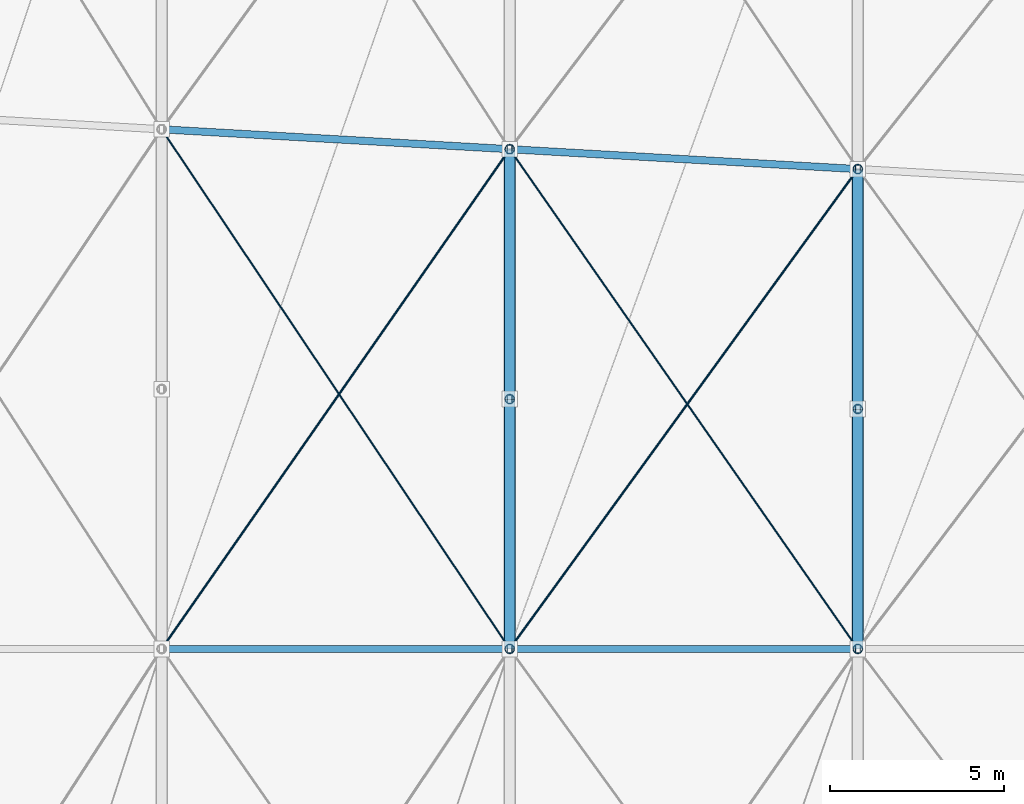
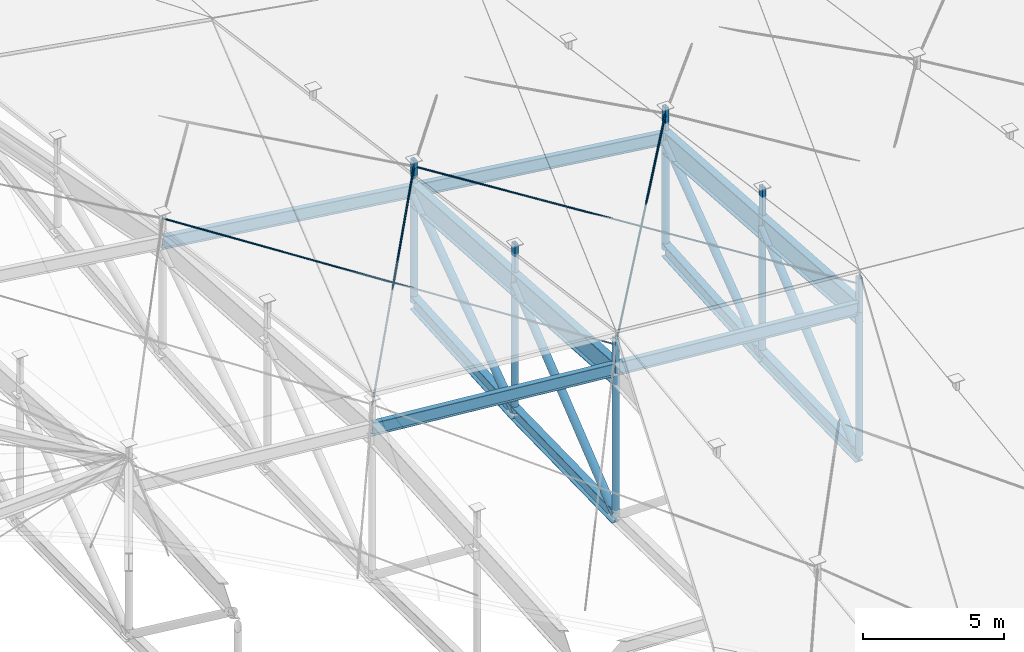
# One storey, part 26 of 68: 20 members, 12 beams.
"""IFC4 building model written with IfcOpenShell, lengths in metres."""

from ifc_helpers import new_model, si_unit, direction, frame, origin, origin_2d, place, context, subcontext, project, spatial, hollow_rectangle, circle, hollow_circle, i_section, extrude, material, material_profile, profile_set, type_object, element, save


model = new_model("IFC4")

# Units and contexts
model_context = context("Model", 3, precision=1e-05, world=origin(), true_north=direction((0.0, 1.0)))
body_context = subcontext(model_context, "Body", "Model", "MODEL_VIEW")
ifc_project = project(units=[si_unit("LENGTHUNIT", "METRE"), si_unit("AREAUNIT", "SQUARE_METRE"), si_unit("VOLUMEUNIT", "CUBIC_METRE"), si_unit("PLANEANGLEUNIT", "RADIAN"), si_unit("MASSUNIT", "GRAM", prefix="KILO")], contexts=[model_context])

# Site, building, storey
site_placement = place(None, origin())
site = spatial("IfcSite", under=ifc_project, at=site_placement, CompositionType="ELEMENT")
building_placement = place(site_placement, origin())
building = spatial("IfcBuilding", under=site, at=building_placement, Name="Sohan Crest Arena", CompositionType="ELEMENT")
storey_placement = place(building_placement, frame((0.0, 0.0, 27.0)))
storey = spatial("IfcBuildingStorey", under=building, at=storey_placement, Name="RF", CompositionType="ELEMENT", Elevation=27.0)

# Beams
ifc_material_1 = material(Name="Steel S355", Category="steel")
ifc_material_profile_1 = material_profile(ifc_material_1, i_section(OverallWidth=0.2099609375, OverallDepth=0.550048828125, WebThickness=0.010986328125, FlangeThickness=0.01708984375, at=origin_2d()), Name="IPE 550")
ifc_profile_set_1 = profile_set([ifc_material_profile_1], Name="Steel S355")
beam_type_1 = type_object("IfcBeamType", Name="STR-BM-B06", PredefinedType="BEAM", material=ifc_profile_set_1)
beam_1_placement = place(storey_placement, frame((108.0, 78.0, 4.54296875), z_axis=(0.996009963272, 0.0, -0.089242103643), x_axis=(0.0, 1.0, 0.0)))
element("IfcBeam", 1, at=beam_1_placement, inside=storey, type_object=beam_type_1, Name="Structural beam RP-RF-3148", PredefinedType="BEAM", context=body_context, shape_type="SweptSolid", body=[
    extrude(i_section(OverallWidth=0.2099609375, OverallDepth=0.550048828125, WebThickness=0.010986328125, FlangeThickness=0.01708984375, at=origin_2d()), origin(), (0.0, 0.0, 1.0), 10.0400390625),
])
beam_2_placement = place(storey_placement, frame((108.0, 92.927978515625, 3.5810546875), z_axis=(0.994394230537, -0.056784377569, -0.089194443432), x_axis=(0.057011612604, 0.998373515288, 0.0)))
element("IfcBeam", 2, at=beam_2_placement, inside=storey, type_object=beam_type_1, Name="Structural beam RP-RF-3149", PredefinedType="BEAM", context=body_context, shape_type="SweptSolid", body=[
    extrude(i_section(OverallWidth=0.2099609375, OverallDepth=0.550048828125, WebThickness=0.010986328125, FlangeThickness=0.01708984375, at=origin_2d()), origin(), (0.0, 0.0, 1.0), 10.056396484375),
])
beam_3_placement = place(storey_placement, frame((118.0, 78.0, 3.64697265625), z_axis=(0.996323549958, 0.0, -0.085670203685), x_axis=(0.0, 1.0, 0.0)))
element("IfcBeam", 3, at=beam_3_placement, inside=storey, type_object=beam_type_1, Name="Structural beam RP-RF-3151", PredefinedType="BEAM", context=body_context, shape_type="SweptSolid", body=[
    extrude(i_section(OverallWidth=0.2099609375, OverallDepth=0.550048828125, WebThickness=0.010986328125, FlangeThickness=0.01708984375, at=origin_2d()), origin(), (0.0, 0.0, 1.0), 10.036865234375),
])
beam_4_placement = place(storey_placement, frame((118.0, 92.35693359375, 2.68408203125), z_axis=(0.994715612164, -0.0568998701, -0.085459087871), x_axis=(0.057108792309, 0.998367961145, 0.0)))
element("IfcBeam", 4, at=beam_4_placement, inside=storey, type_object=beam_type_1, Name="Structural beam RP-RF-3152", PredefinedType="BEAM", context=body_context, shape_type="SweptSolid", body=[
    extrude(i_section(OverallWidth=0.2099609375, OverallDepth=0.550048828125, WebThickness=0.010986328125, FlangeThickness=0.01708984375, at=origin_2d()), origin(), (0.0, 0.0, 1.0), 10.05322265625),
])
ifc_material_profile_2 = material_profile(ifc_material_1, i_section(OverallWidth=0.300048828125, OverallDepth=0.60009765625, WebThickness=0.015380859375, FlangeThickness=0.030029296875, at=origin_2d()), Name="HEB 600")
ifc_profile_set_2 = profile_set([ifc_material_profile_2], Name="Steel S355")
beam_type_2 = type_object("IfcBeamType", Name="STR-BM-B15", PredefinedType="BEAM", material=ifc_profile_set_2)
beam_5_placement = place(storey_placement, frame((118.0, 78.0, -2.762939453125), z_axis=(0.0, 0.99978200802, 0.020879090947), x_axis=(-1.0, 0.0, 0.0)))
element("IfcBeam", 5, at=beam_5_placement, inside=storey, type_object=beam_type_2, Name="Structural beam RAB-RF-3057", PredefinedType="BEAM", context=body_context, shape_type="SweptSolid", body=[
    extrude(i_section(OverallWidth=0.300048828125, OverallDepth=0.60009765625, WebThickness=0.015380859375, FlangeThickness=0.030029296875, at=origin_2d()), origin(), (0.0, 0.0, 1.0), 7.179443359375),
])
beam_6_placement = place(storey_placement, frame((118.0, 85.177978515625, -2.613037109375), z_axis=(0.0, 0.998041601511, 0.062553670178), x_axis=(-1.0, 0.0, 0.0)))
element("IfcBeam", 6, at=beam_6_placement, inside=storey, type_object=beam_type_2, Name="Structural beam RAB-RF-3059", PredefinedType="BEAM", context=body_context, shape_type="SweptSolid", body=[
    extrude(i_section(OverallWidth=0.300048828125, OverallDepth=0.60009765625, WebThickness=0.015380859375, FlangeThickness=0.030029296875, at=origin_2d()), origin(), (0.0, 0.0, 1.0), 7.193115234375),
])
beam_7_placement = place(storey_placement, frame((128.0, 78.0, -3.623046875), z_axis=(0.0, 0.999762851214, 0.021777082719), x_axis=(-1.0, 0.0, 0.0)))
element("IfcBeam", 7, at=beam_7_placement, inside=storey, type_object=beam_type_2, Name="Structural beam RAB-RF-3073", PredefinedType="BEAM", context=body_context, shape_type="SweptSolid", body=[
    extrude(i_section(OverallWidth=0.300048828125, OverallDepth=0.60009765625, WebThickness=0.015380859375, FlangeThickness=0.030029296875, at=origin_2d()), origin(), (0.0, 0.0, 1.0), 6.894775390625),
])
beam_8_placement = place(storey_placement, frame((128.0, 84.89306640625, -3.472900390625), z_axis=(0.0, 0.99787556219, 0.065148771161), x_axis=(-1.0, 0.0, 0.0)))
element("IfcBeam", 8, at=beam_8_placement, inside=storey, type_object=beam_type_2, Name="Structural beam RAB-RF-3075", PredefinedType="BEAM", context=body_context, shape_type="SweptSolid", body=[
    extrude(i_section(OverallWidth=0.300048828125, OverallDepth=0.60009765625, WebThickness=0.015380859375, FlangeThickness=0.030029296875, at=origin_2d()), origin(), (0.0, 0.0, 1.0), 6.906494140625),
])
ifc_material_profile_3 = material_profile(ifc_material_1, i_section(OverallWidth=0.300048828125, OverallDepth=1.0, WebThickness=0.01904296875, FlangeThickness=0.035888671875, at=origin_2d()), Name="HEB 1000")
ifc_profile_set_3 = profile_set([ifc_material_profile_3], Name="Steel S355")
beam_type_3 = type_object("IfcBeamType", Name="STR-BM-B19", PredefinedType="BEAM", material=ifc_profile_set_3)
beam_9_placement = place(storey_placement, frame((118.0, 78.0, 3.487060546875), z_axis=(0.0, 0.997762727447, -0.066854616274), x_axis=(-1.0, 0.0, 0.0)))
element("IfcBeam", 9, at=beam_9_placement, inside=storey, type_object=beam_type_3, Name="Structural beam RA-RF-3056", PredefinedType="BEAM", context=body_context, shape_type="SweptSolid", body=[
    extrude(i_section(OverallWidth=0.300048828125, OverallDepth=1.0, WebThickness=0.01904296875, FlangeThickness=0.035888671875, at=origin_2d()), origin(), (0.0, 0.0, 1.0), 7.194091796875),
])
beam_10_placement = place(storey_placement, frame((118.0, 85.177978515625, 3.006103515625), z_axis=(0.0, 0.997752004305, -0.067014460415), x_axis=(-1.0, 0.0, 0.0)))
element("IfcBeam", 10, at=beam_10_placement, inside=storey, type_object=beam_type_3, Name="Structural beam RA-RF-3058", PredefinedType="BEAM", context=body_context, shape_type="SweptSolid", body=[
    extrude(i_section(OverallWidth=0.300048828125, OverallDepth=1.0, WebThickness=0.01904296875, FlangeThickness=0.035888671875, at=origin_2d()), origin(), (0.0, 0.0, 1.0), 7.195068359375),
])
beam_11_placement = place(storey_placement, frame((128.0, 78.0, 2.626953125), z_axis=(0.0, 0.99757395956, -0.069614619211), x_axis=(-1.0, 0.0, 0.0)))
element("IfcBeam", 11, at=beam_11_placement, inside=storey, type_object=beam_type_3, Name="Structural beam RA-RF-3072", PredefinedType="BEAM", context=body_context, shape_type="SweptSolid", body=[
    extrude(i_section(OverallWidth=0.300048828125, OverallDepth=1.0, WebThickness=0.01904296875, FlangeThickness=0.035888671875, at=origin_2d()), origin(), (0.0, 0.0, 1.0), 6.908935546875),
])
beam_12_placement = place(storey_placement, frame((128.0, 84.89208984375, 2.14599609375), z_axis=(0.0, 0.997574473234, -0.069607257899), x_axis=(-1.0, 0.0, 0.0)))
element("IfcBeam", 12, at=beam_12_placement, inside=storey, type_object=beam_type_3, Name="Structural beam RA-RF-3074", PredefinedType="BEAM", context=body_context, shape_type="SweptSolid", body=[
    extrude(i_section(OverallWidth=0.300048828125, OverallDepth=1.0, WebThickness=0.01904296875, FlangeThickness=0.035888671875, at=origin_2d()), origin(), (0.0, 0.0, 1.0), 6.90966796875),
])

# Members
ifc_material_profile_4 = material_profile(ifc_material_1, hollow_circle(Radius=0.136474609375, WallThickness=0.012451171875, at=origin_2d()), Name="CHS 273x12.5")
ifc_profile_set_4 = profile_set([ifc_material_profile_4], Name="Steel S355")
member_type_1 = type_object("IfcMemberType", Name="STR-MEM-BR02", PredefinedType="BRACE", material=ifc_profile_set_4)
member_1_placement = place(storey_placement, frame((118.0, 78.0, -2.762939453125), z_axis=(0.0, 0.0, 1.0), x_axis=(1.0, 0.0, 0.0)))
element("IfcMember", 13, at=member_1_placement, inside=storey, type_object=member_type_1, Name="Lenticular roof truss web strut TW-125", PredefinedType="BRACE", context=body_context, shape_type="SweptSolid", body=[
    extrude(hollow_circle(Radius=0.136474609375, WallThickness=0.012451171875, at=origin_2d()), origin(), (0.0, 0.0, 1.0), 6.25),
])
member_2_placement = place(storey_placement, frame((118.0, 85.177978515625, -2.613037109375), z_axis=(0.0, 0.0, 1.0), x_axis=(1.0, 0.0, 0.0)))
element("IfcMember", 14, at=member_2_placement, inside=storey, type_object=member_type_1, Name="Lenticular roof truss web strut TW-127", PredefinedType="BRACE", context=body_context, shape_type="SweptSolid", body=[
    extrude(hollow_circle(Radius=0.136474609375, WallThickness=0.012451171875, at=origin_2d()), origin(), (0.0, 0.0, 1.0), 5.619140625),
])
member_3_placement = place(storey_placement, frame((118.0, 92.35693359375, -2.1630859375), z_axis=(0.0, 0.0, 1.0), x_axis=(1.0, 0.0, 0.0)))
element("IfcMember", 15, at=member_3_placement, inside=storey, type_object=member_type_1, Name="Lenticular roof truss web strut TW-129", PredefinedType="BRACE", context=body_context, shape_type="SweptSolid", body=[
    extrude(hollow_circle(Radius=0.136474609375, WallThickness=0.012451171875, at=origin_2d()), origin(), (0.0, 0.0, 1.0), 4.68701171875),
])
member_4_placement = place(storey_placement, frame((128.0, 78.0, -3.623046875), z_axis=(0.0, 0.0, 1.0), x_axis=(1.0, 0.0, 0.0)))
element("IfcMember", 16, at=member_4_placement, inside=storey, type_object=member_type_1, Name="Lenticular roof truss web strut TW-149", PredefinedType="BRACE", context=body_context, shape_type="SweptSolid", body=[
    extrude(hollow_circle(Radius=0.136474609375, WallThickness=0.012451171875, at=origin_2d()), origin(), (0.0, 0.0, 1.0), 6.25),
])
member_5_placement = place(storey_placement, frame((128.0, 84.89306640625, -3.472900390625), z_axis=(0.0, -0.000173799693, 0.999999984897), x_axis=(1.0, 0.0, 0.0)))
element("IfcMember", 17, at=member_5_placement, inside=storey, type_object=member_type_1, Name="Lenticular roof truss web strut TW-151", PredefinedType="BRACE", context=body_context, shape_type="SweptSolid", body=[
    extrude(hollow_circle(Radius=0.136474609375, WallThickness=0.012451171875, at=origin_2d()), origin(), (0.0, 0.0, 1.0), 5.618896484375),
])
member_6_placement = place(storey_placement, frame((128.0, 91.784912109375, -3.02294921875), z_axis=(0.0, 0.0, 1.0), x_axis=(1.0, 0.0, 0.0)))
element("IfcMember", 18, at=member_6_placement, inside=storey, type_object=member_type_1, Name="Lenticular roof truss web strut TW-153", PredefinedType="BRACE", context=body_context, shape_type="SweptSolid", body=[
    extrude(hollow_circle(Radius=0.136474609375, WallThickness=0.012451171875, at=origin_2d()), origin(), (0.0, 0.0, 1.0), 4.68798828125),
])
ifc_material_profile_5 = material_profile(ifc_material_1, hollow_circle(Radius=0.161865234375, WallThickness=0.012451171875, at=origin_2d()), Name="CHS 323.9x12.5")
ifc_profile_set_5 = profile_set([ifc_material_profile_5], Name="Steel S355")
member_type_2 = type_object("IfcMemberType", Name="STR-MEM-BR03", PredefinedType="BRACE", material=ifc_profile_set_5)
member_7_placement = place(storey_placement, frame((118.0, 78.0, -2.762939453125), z_axis=(0.0, 0.779454609925, 0.626458706593), x_axis=(-1.0, 0.0, 0.0)))
element("IfcMember", 19, at=member_7_placement, inside=storey, type_object=member_type_2, Name="Lenticular roof truss web diagonal TD-126", PredefinedType="BRACE", context=body_context, shape_type="SweptSolid", body=[
    extrude(hollow_circle(Radius=0.161865234375, WallThickness=0.012451171875, at=origin_2d()), origin(), (0.0, 0.0, 1.0), 9.208984375),
])
member_8_placement = place(storey_placement, frame((118.0, 85.177978515625, -2.613037109375), z_axis=(0.0, 0.813243585196, 0.581923423775), x_axis=(-1.0, 0.0, 0.0)))
element("IfcMember", 20, at=member_8_placement, inside=storey, type_object=member_type_2, Name="Lenticular roof truss web diagonal TD-128", PredefinedType="BRACE", context=body_context, shape_type="SweptSolid", body=[
    extrude(hollow_circle(Radius=0.161865234375, WallThickness=0.012451171875, at=origin_2d()), origin(), (0.0, 0.0, 1.0), 8.82763671875),
])
member_9_placement = place(storey_placement, frame((128.0, 78.0, -3.623046875), z_axis=(0.0, 0.766816746437, 0.641866089915), x_axis=(-1.0, 0.0, 0.0)))
element("IfcMember", 21, at=member_9_placement, inside=storey, type_object=member_type_2, Name="Lenticular roof truss web diagonal TD-150", PredefinedType="BRACE", context=body_context, shape_type="SweptSolid", body=[
    extrude(hollow_circle(Radius=0.161865234375, WallThickness=0.012451171875, at=origin_2d()), origin(), (0.0, 0.0, 1.0), 8.988037109375),
])
member_10_placement = place(storey_placement, frame((128.0, 84.89306640625, -3.472900390625), z_axis=(0.0, 0.801724583837, 0.597693643659), x_axis=(-1.0, 0.0, 0.0)))
element("IfcMember", 22, at=member_10_placement, inside=storey, type_object=member_type_2, Name="Lenticular roof truss web diagonal TD-152", PredefinedType="BRACE", context=body_context, shape_type="SweptSolid", body=[
    extrude(hollow_circle(Radius=0.161865234375, WallThickness=0.012451171875, at=origin_2d()), origin(), (0.0, 0.0, 1.0), 8.59619140625),
])
ifc_material_2 = material(Name="Steel S460", Category="steel")
ifc_material_profile_6 = material_profile(ifc_material_2, circle(Radius=0.031982421875, at=origin_2d()), Name="FLC D64")
ifc_profile_set_6 = profile_set([ifc_material_profile_6], Name="Steel S460")
member_type_3 = type_object("IfcMemberType", Name="STR-MEM-CB01", PredefinedType="USERDEFINED", material=ifc_profile_set_6)
member_11_placement = place(storey_placement, frame((108.0, 78.0, 5.56298828125), z_axis=(0.568349725919, 0.815975927304, -0.105649775712), x_axis=(-0.820568318735, 0.571548453141, 0.0)))
element("IfcMember", 23, at=member_11_placement, inside=storey, type_object=member_type_3, Name="Full-locked-coil roof cable CB-013", ObjectType="CABLE", PredefinedType="USERDEFINED", context=body_context, shape_type="SweptSolid", body=[
    extrude(circle(Radius=0.031982421875, at=origin_2d()), origin(), (0.0, 0.0, 1.0), 17.5947265625),
])
member_12_placement = place(storey_placement, frame((118.0, 78.0, 4.6669921875), z_axis=(0.583864026265, 0.80485142859, -0.106381279981), x_axis=(-0.809444694423, 0.587196122834, 0.0)))
element("IfcMember", 24, at=member_12_placement, inside=storey, type_object=member_type_3, Name="Full-locked-coil roof cable CB-021", ObjectType="CABLE", PredefinedType="USERDEFINED", context=body_context, shape_type="SweptSolid", body=[
    extrude(circle(Radius=0.031982421875, at=origin_2d()), origin(), (0.0, 0.0, 1.0), 17.127197265625),
])
ifc_material_profile_7 = material_profile(ifc_material_2, circle(Radius=0.02587890625, at=origin_2d()), Name="FLC D52")
ifc_profile_set_7 = profile_set([ifc_material_profile_7], Name="Steel S460")
member_type_4 = type_object("IfcMemberType", Name="STR-MEM-CB02", PredefinedType="USERDEFINED", material=ifc_profile_set_7)
member_13_placement = place(storey_placement, frame((108.0, 92.927978515625, 4.60107421875), z_axis=(0.556545086278, -0.830809309094, 0.003668632161), x_axis=(0.830814900024, 0.556548831548, 0.0)))
element("IfcMember", 25, at=member_13_placement, inside=storey, type_object=member_type_4, Name="Full-locked-coil roof cable CB-014", ObjectType="CABLE", PredefinedType="USERDEFINED", context=body_context, shape_type="SweptSolid", body=[
    extrude(circle(Radius=0.02587890625, at=origin_2d()), origin(), (0.0, 0.0, 1.0), 17.968017578125),
])
member_14_placement = place(storey_placement, frame((118.0, 92.35693359375, 3.7041015625), z_axis=(0.571538591204, -0.820554160018, 0.005874456711), x_axis=(0.820568318735, 0.571548453141, 0.0)))
element("IfcMember", 26, at=member_14_placement, inside=storey, type_object=member_type_4, Name="Full-locked-coil roof cable CB-022", ObjectType="CABLE", PredefinedType="USERDEFINED", context=body_context, shape_type="SweptSolid", body=[
    extrude(circle(Radius=0.02587890625, at=origin_2d()), origin(), (0.0, 0.0, 1.0), 17.49658203125),
])
ifc_material_profile_8 = material_profile(ifc_material_1, hollow_rectangle(XDim=0.14990234375, YDim=0.25, WallThickness=0.010009765625, at=origin_2d()), Name="RHS 250x150x10")
ifc_profile_set_8 = profile_set([ifc_material_profile_8], Name="Steel S355")
member_type_5 = type_object("IfcMemberType", Name="STR-MEM-CH02", PredefinedType="CHORD", material=ifc_profile_set_8)
member_15_placement = place(storey_placement, frame((118.0, 78.0, 3.487060546875), z_axis=(0.0, 0.0, 1.0), x_axis=(1.0, 0.0, 0.0)))
element("IfcMember", 27, at=member_15_placement, inside=storey, type_object=member_type_5, Name="Roof deck bearing saddle chord RSP-113", PredefinedType="CHORD", context=body_context, shape_type="SweptSolid", body=[
    extrude(hollow_rectangle(XDim=0.14990234375, YDim=0.25, WallThickness=0.010009765625, at=origin_2d()), origin(), (0.0, 0.0, 1.0), 1.489990234375),
])
member_16_placement = place(storey_placement, frame((118.0, 85.177978515625, 3.006103515625), z_axis=(0.0, 0.0, 1.0), x_axis=(1.0, 0.0, 0.0)))
element("IfcMember", 28, at=member_16_placement, inside=storey, type_object=member_type_5, Name="Roof deck bearing saddle chord RSP-114", PredefinedType="CHORD", context=body_context, shape_type="SweptSolid", body=[
    extrude(hollow_rectangle(XDim=0.14990234375, YDim=0.25, WallThickness=0.010009765625, at=origin_2d()), origin(), (0.0, 0.0, 1.0), 1.72998046875),
])
for number, where, z_axis, x_axis, name in (
    (29, (118.0, 92.35693359375, 2.52392578125), (0.0, 0.0, 1.0), (1.0, 0.0, 0.0), "Roof deck bearing saddle chord RSP-115"),
    (30, (128.0, 78.0, 2.626953125), (0.0, 0.0, 1.0), (1.0, 0.0, 0.0), "Roof deck bearing saddle chord RSP-137"),
):
    element("IfcMember", number, at=place(storey_placement, frame(where, z_axis=z_axis, x_axis=x_axis)), inside=storey, type_object=member_type_5, Name=name, PredefinedType="CHORD", context=body_context, shape_type="SweptSolid", body=[
        extrude(hollow_rectangle(XDim=0.14990234375, YDim=0.25, WallThickness=0.010009765625, at=origin_2d()), origin(), (0.0, 0.0, 1.0), 1.489990234375),
    ])
member_17_placement = place(storey_placement, frame((128.0, 84.89208984375, 2.14599609375), z_axis=(0.0, 0.000564493277, 0.999999840674), x_axis=(1.0, 0.0, 0.0)))
element("IfcMember", 31, at=member_17_placement, inside=storey, type_object=member_type_5, Name="Roof deck bearing saddle chord RSP-138", PredefinedType="CHORD", context=body_context, shape_type="SweptSolid", body=[
    extrude(hollow_rectangle(XDim=0.14990234375, YDim=0.25, WallThickness=0.010009765625, at=origin_2d()), origin(), (0.0, 0.0, 1.0), 1.72998046875),
])
member_18_placement = place(storey_placement, frame((128.0, 91.784912109375, 1.6650390625), z_axis=(0.0, 0.0, 1.0), x_axis=(1.0, 0.0, 0.0)))
element("IfcMember", 32, at=member_18_placement, inside=storey, type_object=member_type_5, Name="Roof deck bearing saddle chord RSP-139", PredefinedType="CHORD", context=body_context, shape_type="SweptSolid", body=[
    extrude(hollow_rectangle(XDim=0.14990234375, YDim=0.25, WallThickness=0.010009765625, at=origin_2d()), origin(), (0.0, 0.0, 1.0), 1.489990234375),
])

save(model, "model.ifc")
